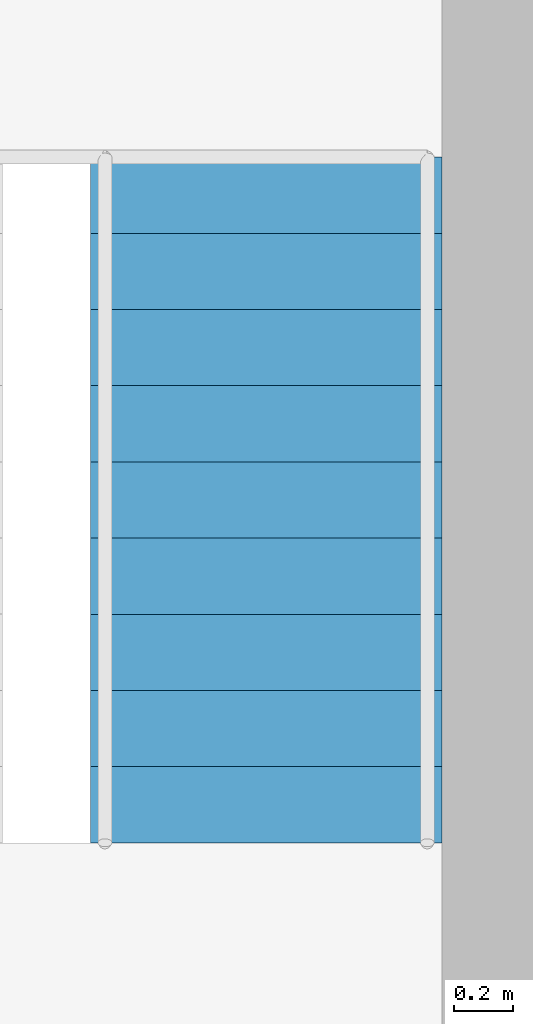
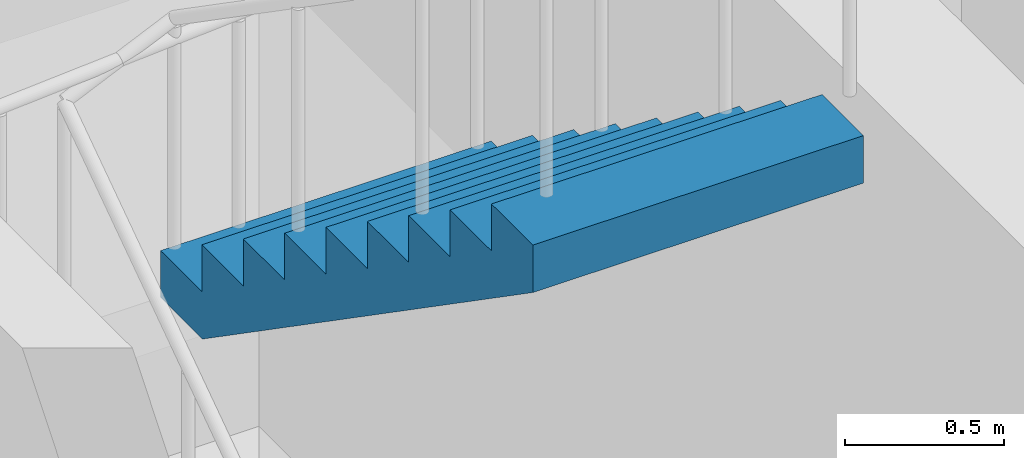
# One storey, part 10 of 15: 1 stair flight, 1 element without a shape of its own.
"""IFC4 building model written with IfcOpenShell, lengths in metres."""

import ifcopenshell
import ifcopenshell.guid

model = None  # the IFC model being written
_history = None  # IfcOwnerHistory: only IFC2X3 demands one
_inside = {}  # id of a spatial element -> (the spatial element, [elements in it])
_under = {}  # id of a project, library or spatial element -> (it, [spatial elements below it])
_declared = {}  # id of a project -> (the project, [libraries it declares])
_typed = {}  # id of a type object -> (the type object, [elements of that type])
_made_of = {}  # id of a material, layer set ... -> (it, [elements and type objects made of it])


def new_model(schema):
    """Start an empty IFC model of exactly this schema.

    Asked for "IFC4X3", IfcOpenShell would pick the latest addendum, in which some entities
    have other attributes; the version numbers below select the first issue.
    IFC2X3 requires an IfcOwnerHistory on every rooted entity: one is made here for all.
    """
    global model, _history
    if schema == "IFC4X3":
        model = ifcopenshell.file(schema_version=(4, 3, 0, 0))
    else:
        model = ifcopenshell.file(schema=schema)
    _inside.clear()
    _under.clear()
    _declared.clear()
    _typed.clear()
    _made_of.clear()
    _history = None
    if model.schema == "IFC2X3":
        org = make("IfcOrganization", Name="unknown")
        user = make(
            "IfcPersonAndOrganization",
            ThePerson=make("IfcPerson", FamilyName="unknown"),
            TheOrganization=org,
        )
        app = make(
            "IfcApplication",
            ApplicationDeveloper=org,
            Version="unknown",
            ApplicationFullName="unknown",
            ApplicationIdentifier="unknown",
        )
        _history = make(
            "IfcOwnerHistory",
            OwningUser=user,
            OwningApplication=app,
            ChangeAction="ADDED",
            CreationDate=0,
        )
    return model


def make(cls, **values):
    """One entity of the class cls with the attributes given. An attribute that is None is left unset."""
    return model.create_entity(
        cls, **{name: value for name, value in values.items() if value is not None}
    )


def rooted(cls, **values):
    """An entity with a GlobalId (a new one), such as an element, a storey or a relation."""
    return make(cls, GlobalId=ifcopenshell.guid.new(), OwnerHistory=_history, **values)


def si_unit(unit_type, name, prefix=None):
    """IfcSIUnit, for example si_unit("LENGTHUNIT", "METRE", prefix="MILLI")."""
    return make("IfcSIUnit", UnitType=unit_type, Prefix=prefix, Name=name)


def assignment(units):
    """IfcUnitAssignment: the units of a project."""
    return None if units is None else make("IfcUnitAssignment", Units=units)


def point(xyz):
    """IfcCartesianPoint."""
    return None if xyz is None else make("IfcCartesianPoint", Coordinates=xyz)


def direction(xyz):
    """IfcDirection."""
    return None if xyz is None else make("IfcDirection", DirectionRatios=xyz)


def frame(location, z_axis=None, x_axis=None):
    """IfcAxis2Placement3D, a coordinate frame: its origin and axes. An axis left out is left unset."""
    return make(
        "IfcAxis2Placement3D",
        Location=point(location),
        Axis=direction(z_axis),
        RefDirection=direction(x_axis),
    )


def origin():
    """The frame at (0, 0, 0) with its axes left unset."""
    return frame((0.0, 0.0, 0.0))


def place(relative_to, where):
    """IfcLocalPlacement: puts the frame where relative to a parent placement (None: the world)."""
    return make(
        "IfcLocalPlacement", PlacementRelTo=relative_to, RelativePlacement=where
    )


def context(
    kind, dimensions, precision=None, world=None, true_north=None, identifier=None
):
    """IfcGeometricRepresentationContext, for example the 3D "Model" context."""
    return make(
        "IfcGeometricRepresentationContext",
        ContextIdentifier=identifier,
        ContextType=kind,
        CoordinateSpaceDimension=dimensions,
        Precision=precision,
        WorldCoordinateSystem=world,
        TrueNorth=true_north,
    )


def subcontext(parent, identifier, kind, view, scale=None):
    """IfcGeometricRepresentationSubContext, for example "Body" below "Model"."""
    return make(
        "IfcGeometricRepresentationSubContext",
        ContextIdentifier=identifier,
        ContextType=kind,
        ParentContext=parent,
        TargetScale=scale,
        TargetView=view,
    )


def project(units=None, contexts=None):
    """IfcProject with its units and contexts."""
    return rooted(
        "IfcProject",
        Name="project",
        RepresentationContexts=contexts,
        UnitsInContext=assignment(units),
    )


def spatial(cls, under=None, at=None, **own):
    """A site, building, storey or space (cls), placed at a placement, below another one or the project."""
    s = rooted(cls, ObjectPlacement=at, **own)
    if under is not None:
        _under.setdefault(under.id(), (under, []))[1].append(s)
    return s


def polyline(points):
    """IfcPolyline through the points."""
    return make("IfcPolyline", Points=[point(p) for p in points])


def outline(outer, holes=None, kind="AREA"):
    """IfcArbitraryClosedProfileDef: a profile drawn as a closed curve; with holes, ...WithVoids."""
    if holes is None:
        return make("IfcArbitraryClosedProfileDef", ProfileType=kind, OuterCurve=outer)
    return make(
        "IfcArbitraryProfileDefWithVoids",
        ProfileType=kind,
        OuterCurve=outer,
        InnerCurves=holes,
    )


def extrude(swept, where, along, depth):
    """IfcExtrudedAreaSolid: the profile swept, set in the frame where, extruded along a direction by depth."""
    return make(
        "IfcExtrudedAreaSolid",
        SweptArea=swept,
        Position=where,
        ExtrudedDirection=direction(along),
        Depth=depth,
    )


def shape(context_of_items, identifier, shape_type, items):
    """IfcShapeRepresentation: the items that make up one representation, for example the "Body"."""
    return make(
        "IfcShapeRepresentation",
        ContextOfItems=context_of_items,
        RepresentationIdentifier=identifier,
        RepresentationType=shape_type,
        Items=items,
    )


def material(Name=None, Category=None):
    """IfcMaterial."""
    return make("IfcMaterial", Name=Name, Category=Category)


def made_of(thing, what):
    """Note that an element or type object is made of a material, layer set ...; save() writes the relation."""
    if what is not None:
        _made_of.setdefault(what.id(), (what, []))[1].append(thing)
    return thing


def type_object(cls, material=None, **own):
    """A type object (cls), such as IfcWallType, which elements share."""
    return made_of(rooted(cls, **own), material)


def element(
    cls,
    number,
    at=None,
    inside=None,
    cuts=None,
    type_object=None,
    material=None,
    context=None,
    identifier="Body",
    shape_type=None,
    held_by="IfcProductDefinitionShape",
    body=None,
    shapes=None,
    **own,
):
    """One element of the class cls, such as IfcWall. Its Tag is "e" and its number.

    at: its placement. inside: the storey or other place that contains it. cuts: it is an
    opening in that element (IfcRelVoidsElement). A single representation is given by context,
    identifier, shape_type and body (its items); several are given by shapes. held_by: the class
    of the entity that holds the representations. save() writes the other relations.
    """
    e = rooted(cls, Tag="e%d" % number, ObjectPlacement=at, **own)
    if body is not None:
        shapes = [shape(context, identifier, shape_type, body)]
    if shapes is not None:
        e.Representation = make(held_by, Representations=shapes)
    if inside is not None:
        _inside.setdefault(inside.id(), (inside, []))[1].append(e)
    if cuts is not None:
        rooted(
            "IfcRelVoidsElement", RelatingBuildingElement=cuts, RelatedOpeningElement=e
        )
    if type_object is not None:
        _typed.setdefault(type_object.id(), (type_object, []))[1].append(e)
    return made_of(e, material)


def aggregate(whole, parts):
    """IfcRelAggregates: a whole, such as a stair, and the parts it consists of."""
    return rooted("IfcRelAggregates", RelatingObject=whole, RelatedObjects=parts)


def save(model, path):
    """Write the relations noted so far, then the file.

    IfcRelAggregates (storeys below a building ...), IfcRelContainedInSpatialStructure (elements
    in a storey), IfcRelDefinesByType, IfcRelAssociatesMaterial and IfcRelDeclares: one each for
    every whole, place, type object, material and project.
    """
    for whole, parts in _under.values():
        aggregate(whole, parts)
    for where, things in _inside.values():
        rooted(
            "IfcRelContainedInSpatialStructure",
            RelatedElements=things,
            RelatingStructure=where,
        )
    for kind, things in _typed.values():
        rooted("IfcRelDefinesByType", RelatedObjects=things, RelatingType=kind)
    for what, things in _made_of.values():
        rooted("IfcRelAssociatesMaterial", RelatedObjects=things, RelatingMaterial=what)
    for by, libraries in _declared.values():
        rooted("IfcRelDeclares", RelatingContext=by, RelatedDefinitions=libraries)
    model.write(path)


model = new_model("IFC4")

# Units and contexts
model_context = context("Model", 3, precision=1e-05, world=origin(), true_north=direction((0.0, 1.0)))
body_context = subcontext(model_context, "Body", "Model", "MODEL_VIEW")
ifc_project = project(units=[si_unit("LENGTHUNIT", "METRE"), si_unit("AREAUNIT", "SQUARE_METRE"), si_unit("VOLUMEUNIT", "CUBIC_METRE"), si_unit("PLANEANGLEUNIT", "RADIAN"), si_unit("MASSUNIT", "GRAM", prefix="KILO")], contexts=[model_context])

# Site, building, storey
site_placement = place(None, origin())
site = spatial("IfcSite", under=ifc_project, at=site_placement, CompositionType="ELEMENT")
building_placement = place(site_placement, origin())
building = spatial("IfcBuilding", under=site, at=building_placement, Name="Torana Hotel and Residences", CompositionType="ELEMENT")
storey_placement = place(building_placement, frame((0.0, 0.0, 42.0)))
storey = spatial("IfcBuildingStorey", under=building, at=storey_placement, Name="L09", CompositionType="ELEMENT", Elevation=42.0)

# Stair, stair flight
ifc_material_1 = material(Name="Concrete C40/50 precast", Category="concrete")
stair_type = type_object("IfcStairType", Name="STAIR ST4 HALF TURN 1200", PredefinedType="HALF_TURN_STAIR", material=ifc_material_1)
stair_placement = place(storey_placement, origin())
stair = element("IfcStair", 1, at=stair_placement, inside=storey, type_object=stair_type, Name="Stair ST4 L09", PredefinedType="HALF_TURN_STAIR")
ifc_material_2 = material(Name="Concrete C40/50 precast", Category="concrete")
stair_flight_type = type_object("IfcStairFlightType", Name="STAIR FLIGHT 1200 PRECAST", PredefinedType="STRAIGHT", material=ifc_material_2)
stair_flight_placement = place(storey_placement, frame((18.449951171875, -10.610107421875, 1.800048828125), z_axis=(0.0, 0.0, 1.0), x_axis=(0.0, -1.0, 0.0)))
stair_flight = element("IfcStairFlight", 2, at=stair_flight_placement, type_object=stair_flight_type, Name="ST4 flight 2", NumberOfRisers=10, NumberOfTreads=9, PredefinedType="STRAIGHT", RiserHeight=0.18, TreadLength=0.26, context=body_context, shape_type="SweptSolid", body=[
    extrude(outline(polyline([(0.0, 0.0), (0.0, 0.179931640625), (0.260009765625, 0.179931640625), (0.260009765625, 0.360107421875), (0.52001953125, 0.360107421875), (0.52001953125, 0.5400390625), (0.780029296875, 0.5400390625), (0.780029296875, 0.719970703125), (1.0400390625, 0.719970703125), (1.0400390625, 0.89990234375), (1.300048828125, 0.89990234375), (1.300048828125, 1.080078125), (1.56005859375, 1.080078125), (1.56005859375, 1.260009765625), (1.820068359375, 1.260009765625), (1.820068359375, 1.43994140625), (2.080078125, 1.43994140625), (2.080078125, 1.6201171875), (2.340087890625, 1.6201171875), (2.340087890625, 1.800048828125), (2.340087890625, 1.437744140625), (0.263427734375, 0.0), (0.0, 0.0)])), frame((0.0, 0.60009765625, 0.0), z_axis=(0.0, -1.0, 0.0), x_axis=(1.0, 0.0, 0.0)), (0.0, 0.0, 1.0), 1.199951171875),
])
aggregate(stair, [stair_flight])

save(model, "model.ifc")
